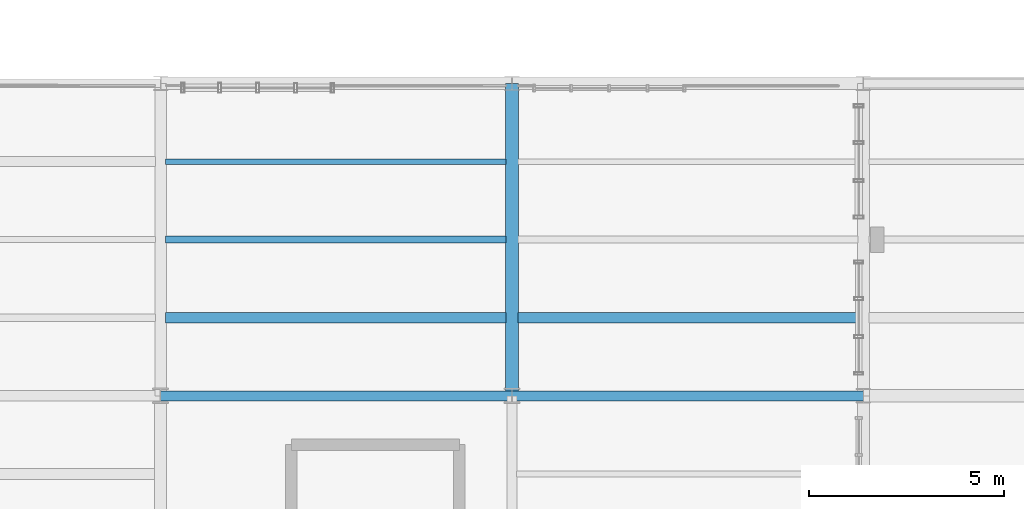
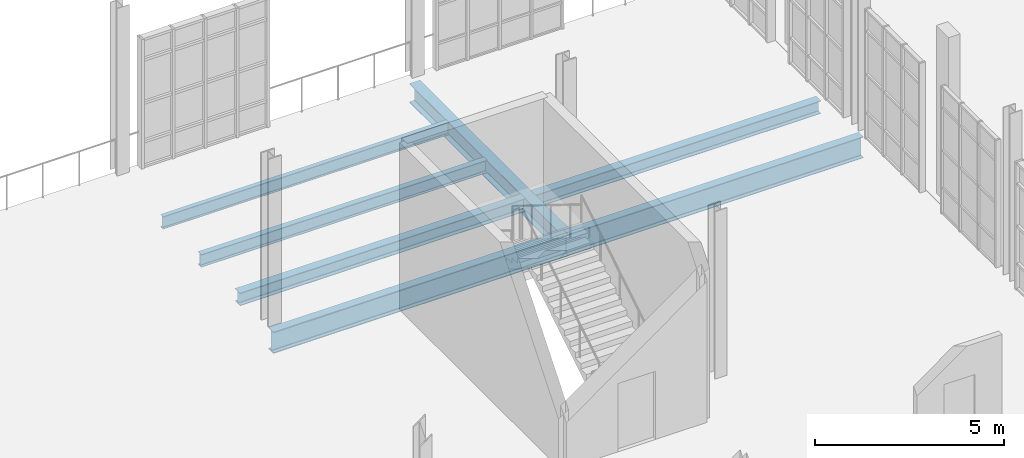
# One storey, part 81 of 142: 7 beams.
"""IFC4 building model written with IfcOpenShell, lengths in metres."""

from ifc_helpers import new_model, si_unit, direction, frame, origin, origin_2d, place, context, subcontext, project, spatial, i_section, extrude, material, material_profile, profile_set, type_object, element, save


model = new_model("IFC4")

# Units and contexts
model_context = context("Model", 3, precision=1e-05, world=origin(), true_north=direction((0.0, 1.0)))
body_context = subcontext(model_context, "Body", "Model", "MODEL_VIEW")
ifc_project = project(units=[si_unit("LENGTHUNIT", "METRE"), si_unit("AREAUNIT", "SQUARE_METRE"), si_unit("VOLUMEUNIT", "CUBIC_METRE"), si_unit("PLANEANGLEUNIT", "RADIAN"), si_unit("MASSUNIT", "GRAM", prefix="KILO"), si_unit("THERMODYNAMICTEMPERATUREUNIT", "KELVIN"), si_unit("POWERUNIT", "WATT")], contexts=[model_context])

# Site, building, storey
site_placement = place(None, origin())
site = spatial("IfcSite", under=ifc_project, at=site_placement, CompositionType="ELEMENT")
building_placement = place(site_placement, origin())
building = spatial("IfcBuilding", under=site, at=building_placement, Name="Zelmaris Science Centre", CompositionType="ELEMENT")
storey_placement = place(building_placement, frame((0.0, 0.0, 5.39990234375)))
storey = spatial("IfcBuildingStorey", under=building, at=storey_placement, Name="L01", CompositionType="ELEMENT", Elevation=5.39990234375)

# Beams
ifc_material = material(Name="Steel ASTM A992 Grade 50", Category="steel")
ifc_material_profile_1 = material_profile(ifc_material, i_section(OverallWidth=0.257080078125, OverallDepth=0.693115234375, WebThickness=0.014404296875, FlangeThickness=0.023681640625, FilletRadius=0.01806640625, at=origin_2d()), Name="W27X114")
ifc_profile_set_1 = profile_set([ifc_material_profile_1], Name="Steel ASTM A992 Grade 50")
beam_type_1 = type_object("IfcBeamType", Name="Beam G-12 W27X114", PredefinedType="BEAM", material=ifc_profile_set_1)
beam_1_placement = place(storey_placement, frame((126.0, 48.0, -0.62646484375), z_axis=(1.0, 0.0, 0.0), x_axis=(0.0, 1.0, 0.0)))
element("IfcBeam", 1, at=beam_1_placement, inside=storey, type_object=beam_type_1, Name="L01 East-west girder 378", PredefinedType="BEAM", context=body_context, shape_type="SweptSolid", body=[
    extrude(i_section(OverallWidth=0.257080078125, OverallDepth=0.693115234375, WebThickness=0.014404296875, FlangeThickness=0.023681640625, FilletRadius=0.01806640625, at=origin_2d()), origin(), (0.0, 0.0, 1.0), 9.0),
])
ifc_material_profile_2 = material_profile(ifc_material, i_section(OverallWidth=0.25390625, OverallDepth=0.68310546875, WebThickness=0.012451171875, FlangeThickness=0.018798828125, FilletRadius=0.01806640625, at=origin_2d()), Name="W27X94")
ifc_profile_set_2 = profile_set([ifc_material_profile_2], Name="Steel ASTM A992 Grade 50")
beam_type_2 = type_object("IfcBeamType", Name="Beam G-13 W27X94", PredefinedType="BEAM", material=ifc_profile_set_2)
beam_2_placement = place(storey_placement, frame((135.0, 48.0, -0.621337890625), z_axis=(1.0, 0.0, 0.0), x_axis=(0.0, 1.0, 0.0)))
element("IfcBeam", 2, at=beam_2_placement, inside=storey, type_object=beam_type_2, Name="L01 East-west girder 379", PredefinedType="BEAM", context=body_context, shape_type="SweptSolid", body=[
    extrude(i_section(OverallWidth=0.25390625, OverallDepth=0.68310546875, WebThickness=0.012451171875, FlangeThickness=0.018798828125, FilletRadius=0.01806640625, at=origin_2d()), origin(), (0.0, 0.0, 1.0), 9.0),
])
ifc_material_profile_3 = material_profile(ifc_material, i_section(OverallWidth=0.324951171875, OverallDepth=0.612060546875, WebThickness=0.0126953125, FlangeThickness=0.01904296875, FilletRadius=0.014892578125, at=origin_2d()), Name="W24X104")
ifc_profile_set_3 = profile_set([ifc_material_profile_3], Name="Steel ASTM A992 Grade 50")
beam_type_3 = type_object("IfcBeamType", Name="Beam G-15 W24X104", PredefinedType="BEAM", material=ifc_profile_set_3)
beam_3_placement = place(storey_placement, frame((135.0, 48.0, -0.5859375), z_axis=(0.0, 1.0, 0.0), x_axis=(-1.0, 0.0, 0.0)))
element("IfcBeam", 3, at=beam_3_placement, inside=storey, type_object=beam_type_3, Name="L01 North-south girder 318", PredefinedType="BEAM", context=body_context, shape_type="SweptSolid", body=[
    extrude(i_section(OverallWidth=0.324951171875, OverallDepth=0.612060546875, WebThickness=0.0126953125, FlangeThickness=0.01904296875, FilletRadius=0.014892578125, at=origin_2d()), origin(), (0.0, 0.0, 1.0), 8.0),
])
ifc_material_profile_4 = material_profile(ifc_material, i_section(OverallWidth=0.260009765625, OverallDepth=0.4140625, WebThickness=0.010009765625, FlangeThickness=0.016845703125, FilletRadius=0.011962890625, at=origin_2d()), Name="W16X67")
ifc_profile_set_4 = profile_set([ifc_material_profile_4], Name="Steel ASTM A992 Grade 50")
beam_type_4 = type_object("IfcBeamType", Name="Beam J-06 W16X67", PredefinedType="JOIST", material=ifc_profile_set_4)
beam_4_placement = place(storey_placement, frame((126.132568359375, 50.0, -0.48681640625), z_axis=(1.0, 0.0, 0.0), x_axis=(0.0, 1.0, 0.0)))
element("IfcBeam", 4, at=beam_4_placement, inside=storey, type_object=beam_type_4, Name="L01 Composite floor joist 194", PredefinedType="JOIST", context=body_context, shape_type="SweptSolid", body=[
    extrude(i_section(OverallWidth=0.260009765625, OverallDepth=0.4140625, WebThickness=0.010009765625, FlangeThickness=0.016845703125, FilletRadius=0.011962890625, at=origin_2d()), origin(), (0.0, 0.0, 1.0), 8.719970703125),
])
beam_5_placement = place(storey_placement, frame((135.1474609375, 50.0, -0.48681640625), z_axis=(1.0, 0.0, 0.0), x_axis=(0.0, 1.0, 0.0)))
element("IfcBeam", 5, at=beam_5_placement, inside=storey, type_object=beam_type_4, Name="L01 Composite floor joist 212", PredefinedType="JOIST", context=body_context, shape_type="SweptSolid", body=[
    extrude(i_section(OverallWidth=0.260009765625, OverallDepth=0.4140625, WebThickness=0.010009765625, FlangeThickness=0.016845703125, FilletRadius=0.011962890625, at=origin_2d()), origin(), (0.0, 0.0, 1.0), 8.712646484375),
])
ifc_material_profile_5 = material_profile(ifc_material, i_section(OverallWidth=0.177978515625, OverallDepth=0.408935546875, WebThickness=0.0087890625, FlangeThickness=0.014404296875, FilletRadius=0.011962890625, at=origin_2d()), Name="W16X45")
ifc_profile_set_5 = profile_set([ifc_material_profile_5], Name="Steel ASTM A992 Grade 50")
beam_type_5 = type_object("IfcBeamType", Name="Beam J-07 W16X45", PredefinedType="JOIST", material=ifc_profile_set_5)
beam_6_placement = place(storey_placement, frame((126.132568359375, 52.0, -0.484375), z_axis=(1.0, 0.0, 0.0), x_axis=(0.0, 1.0, 0.0)))
element("IfcBeam", 6, at=beam_6_placement, inside=storey, type_object=beam_type_5, Name="L01 Composite floor joist 195", PredefinedType="JOIST", context=body_context, shape_type="SweptSolid", body=[
    extrude(i_section(OverallWidth=0.177978515625, OverallDepth=0.408935546875, WebThickness=0.0087890625, FlangeThickness=0.014404296875, FilletRadius=0.011962890625, at=origin_2d()), origin(), (0.0, 0.0, 1.0), 8.719970703125),
])
ifc_material_profile_6 = material_profile(ifc_material, i_section(OverallWidth=0.139892578125, OverallDepth=0.404052734375, WebThickness=0.007080078125, FlangeThickness=0.01123046875, FilletRadius=0.011962890625, at=origin_2d()), Name="W16X31")
ifc_profile_set_6 = profile_set([ifc_material_profile_6], Name="Steel ASTM A992 Grade 50")
beam_type_6 = type_object("IfcBeamType", Name="Beam J-08 W16X31", PredefinedType="JOIST", material=ifc_profile_set_6)
beam_7_placement = place(storey_placement, frame((126.132568359375, 54.0, -0.48193359375), z_axis=(1.0, 0.0, 0.0), x_axis=(0.0, 1.0, 0.0)))
element("IfcBeam", 7, at=beam_7_placement, inside=storey, type_object=beam_type_6, Name="L01 Composite floor joist 196", PredefinedType="JOIST", context=body_context, shape_type="SweptSolid", body=[
    extrude(i_section(OverallWidth=0.139892578125, OverallDepth=0.404052734375, WebThickness=0.007080078125, FlangeThickness=0.01123046875, FilletRadius=0.011962890625, at=origin_2d()), origin(), (0.0, 0.0, 1.0), 8.719970703125),
])

save(model, "model.ifc")
